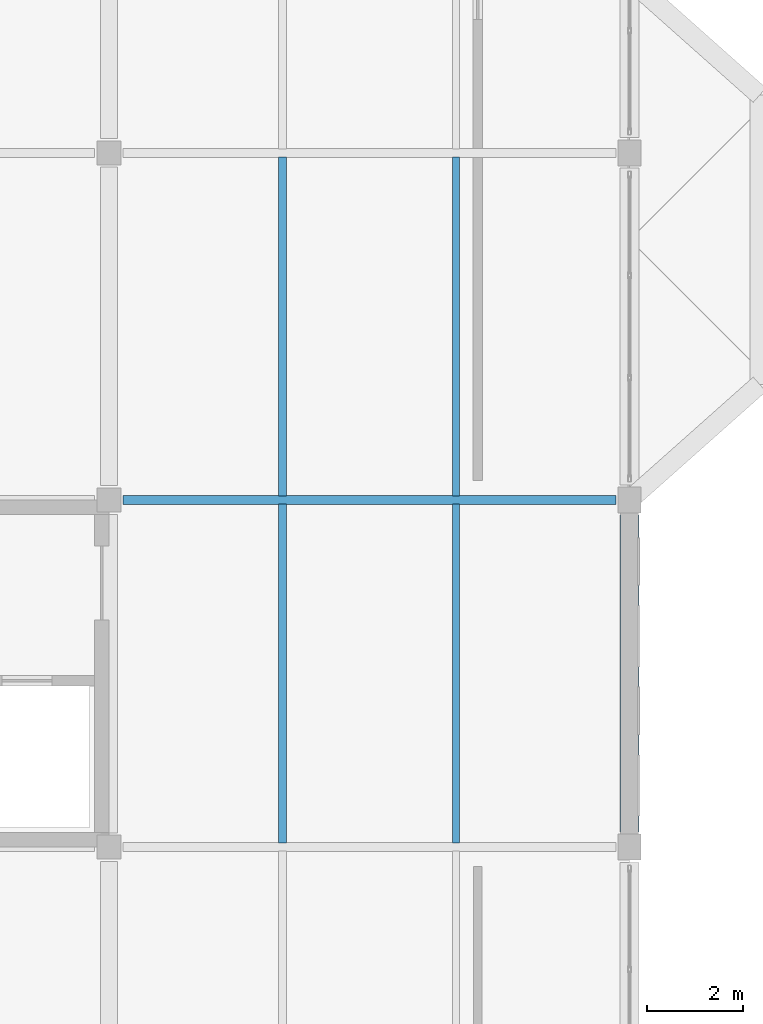
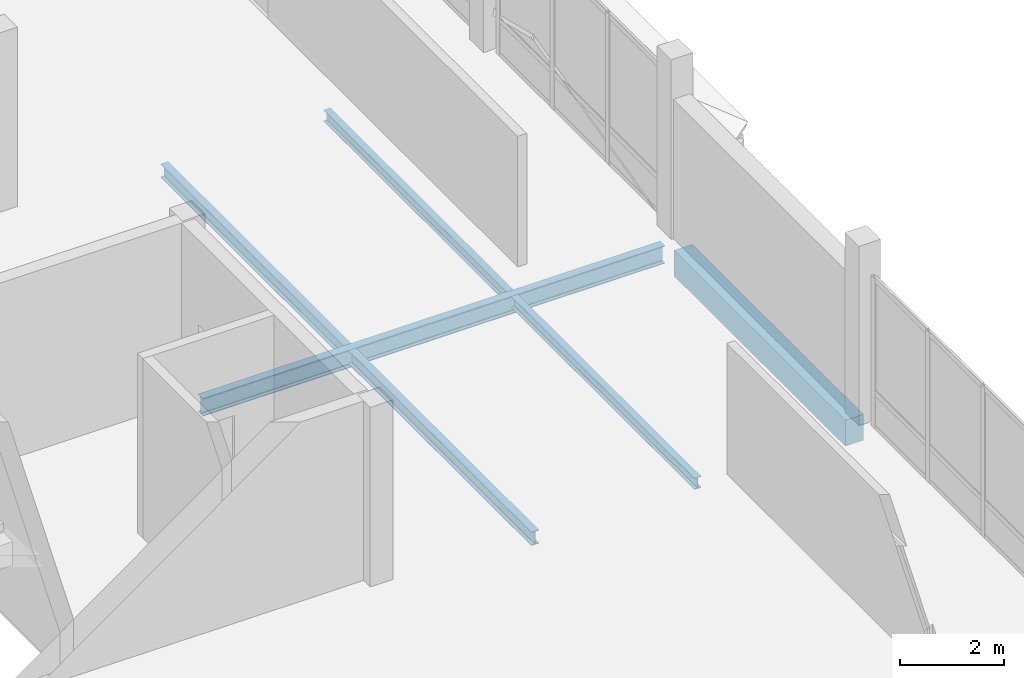
# One storey, part 11 of 72: 6 beams.
"""IFC4 building model written with IfcOpenShell, lengths in metres."""

import ifcopenshell
import ifcopenshell.guid

model = None  # the IFC model being written
_history = None  # IfcOwnerHistory: only IFC2X3 demands one
_inside = {}  # id of a spatial element -> (the spatial element, [elements in it])
_under = {}  # id of a project, library or spatial element -> (it, [spatial elements below it])
_declared = {}  # id of a project -> (the project, [libraries it declares])
_typed = {}  # id of a type object -> (the type object, [elements of that type])
_made_of = {}  # id of a material, layer set ... -> (it, [elements and type objects made of it])


def new_model(schema):
    """Start an empty IFC model of exactly this schema.

    Asked for "IFC4X3", IfcOpenShell would pick the latest addendum, in which some entities
    have other attributes; the version numbers below select the first issue.
    IFC2X3 requires an IfcOwnerHistory on every rooted entity: one is made here for all.
    """
    global model, _history
    if schema == "IFC4X3":
        model = ifcopenshell.file(schema_version=(4, 3, 0, 0))
    else:
        model = ifcopenshell.file(schema=schema)
    _inside.clear()
    _under.clear()
    _declared.clear()
    _typed.clear()
    _made_of.clear()
    _history = None
    if model.schema == "IFC2X3":
        org = make("IfcOrganization", Name="unknown")
        user = make(
            "IfcPersonAndOrganization",
            ThePerson=make("IfcPerson", FamilyName="unknown"),
            TheOrganization=org,
        )
        app = make(
            "IfcApplication",
            ApplicationDeveloper=org,
            Version="unknown",
            ApplicationFullName="unknown",
            ApplicationIdentifier="unknown",
        )
        _history = make(
            "IfcOwnerHistory",
            OwningUser=user,
            OwningApplication=app,
            ChangeAction="ADDED",
            CreationDate=0,
        )
    return model


def make(cls, **values):
    """One entity of the class cls with the attributes given. An attribute that is None is left unset."""
    return model.create_entity(
        cls, **{name: value for name, value in values.items() if value is not None}
    )


def rooted(cls, **values):
    """An entity with a GlobalId (a new one), such as an element, a storey or a relation."""
    return make(cls, GlobalId=ifcopenshell.guid.new(), OwnerHistory=_history, **values)


def si_unit(unit_type, name, prefix=None):
    """IfcSIUnit, for example si_unit("LENGTHUNIT", "METRE", prefix="MILLI")."""
    return make("IfcSIUnit", UnitType=unit_type, Prefix=prefix, Name=name)


def assignment(units):
    """IfcUnitAssignment: the units of a project."""
    return None if units is None else make("IfcUnitAssignment", Units=units)


def point(xyz):
    """IfcCartesianPoint."""
    return None if xyz is None else make("IfcCartesianPoint", Coordinates=xyz)


def direction(xyz):
    """IfcDirection."""
    return None if xyz is None else make("IfcDirection", DirectionRatios=xyz)


def frame(location, z_axis=None, x_axis=None):
    """IfcAxis2Placement3D, a coordinate frame: its origin and axes. An axis left out is left unset."""
    return make(
        "IfcAxis2Placement3D",
        Location=point(location),
        Axis=direction(z_axis),
        RefDirection=direction(x_axis),
    )


def frame_2d(location, x_axis=None):
    """IfcAxis2Placement2D, a coordinate frame in the plane: its origin and x axis."""
    return make(
        "IfcAxis2Placement2D", Location=point(location), RefDirection=direction(x_axis)
    )


def origin():
    """The frame at (0, 0, 0) with its axes left unset."""
    return frame((0.0, 0.0, 0.0))


def origin_2d():
    """The frame at (0, 0) in the plane with its x axis left unset."""
    return frame_2d((0.0, 0.0))


def place(relative_to, where):
    """IfcLocalPlacement: puts the frame where relative to a parent placement (None: the world)."""
    return make(
        "IfcLocalPlacement", PlacementRelTo=relative_to, RelativePlacement=where
    )


def context(
    kind, dimensions, precision=None, world=None, true_north=None, identifier=None
):
    """IfcGeometricRepresentationContext, for example the 3D "Model" context."""
    return make(
        "IfcGeometricRepresentationContext",
        ContextIdentifier=identifier,
        ContextType=kind,
        CoordinateSpaceDimension=dimensions,
        Precision=precision,
        WorldCoordinateSystem=world,
        TrueNorth=true_north,
    )


def subcontext(parent, identifier, kind, view, scale=None):
    """IfcGeometricRepresentationSubContext, for example "Body" below "Model"."""
    return make(
        "IfcGeometricRepresentationSubContext",
        ContextIdentifier=identifier,
        ContextType=kind,
        ParentContext=parent,
        TargetScale=scale,
        TargetView=view,
    )


def project(units=None, contexts=None):
    """IfcProject with its units and contexts."""
    return rooted(
        "IfcProject",
        Name="project",
        RepresentationContexts=contexts,
        UnitsInContext=assignment(units),
    )


def spatial(cls, under=None, at=None, **own):
    """A site, building, storey or space (cls), placed at a placement, below another one or the project."""
    s = rooted(cls, ObjectPlacement=at, **own)
    if under is not None:
        _under.setdefault(under.id(), (under, []))[1].append(s)
    return s


def profile(cls, at=None, kind="AREA", **sizes):
    """A parametric profile (cls). Its sizes go by their IFC names, for example OverallWidth=200.0."""
    return make(cls, ProfileType=kind, Position=at, **sizes)


def rectangle(**sizes):
    """IfcRectangleProfileDef."""
    return profile("IfcRectangleProfileDef", **sizes)


def i_section(**sizes):
    """IfcIShapeProfileDef."""
    return profile("IfcIShapeProfileDef", **sizes)


def extrude(swept, where, along, depth):
    """IfcExtrudedAreaSolid: the profile swept, set in the frame where, extruded along a direction by depth."""
    return make(
        "IfcExtrudedAreaSolid",
        SweptArea=swept,
        Position=where,
        ExtrudedDirection=direction(along),
        Depth=depth,
    )


def shape(context_of_items, identifier, shape_type, items):
    """IfcShapeRepresentation: the items that make up one representation, for example the "Body"."""
    return make(
        "IfcShapeRepresentation",
        ContextOfItems=context_of_items,
        RepresentationIdentifier=identifier,
        RepresentationType=shape_type,
        Items=items,
    )


def material(Name=None, Category=None):
    """IfcMaterial."""
    return make("IfcMaterial", Name=Name, Category=Category)


def material_profile(
    of_material, cross_section, Name=None, Category=None, Priority=None
):
    """IfcMaterialProfile: a cross section and its material."""
    return make(
        "IfcMaterialProfile",
        Name=Name,
        Material=of_material,
        Profile=cross_section,
        Priority=Priority,
        Category=Category,
    )


def profile_set(profiles, Name=None, composite=None):
    """IfcMaterialProfileSet."""
    return make(
        "IfcMaterialProfileSet",
        Name=Name,
        MaterialProfiles=profiles,
        CompositeProfile=composite,
    )


def made_of(thing, what):
    """Note that an element or type object is made of a material, layer set ...; save() writes the relation."""
    if what is not None:
        _made_of.setdefault(what.id(), (what, []))[1].append(thing)
    return thing


def type_object(cls, material=None, **own):
    """A type object (cls), such as IfcWallType, which elements share."""
    return made_of(rooted(cls, **own), material)


def element(
    cls,
    number,
    at=None,
    inside=None,
    cuts=None,
    type_object=None,
    material=None,
    context=None,
    identifier="Body",
    shape_type=None,
    held_by="IfcProductDefinitionShape",
    body=None,
    shapes=None,
    **own,
):
    """One element of the class cls, such as IfcWall. Its Tag is "e" and its number.

    at: its placement. inside: the storey or other place that contains it. cuts: it is an
    opening in that element (IfcRelVoidsElement). A single representation is given by context,
    identifier, shape_type and body (its items); several are given by shapes. held_by: the class
    of the entity that holds the representations. save() writes the other relations.
    """
    e = rooted(cls, Tag="e%d" % number, ObjectPlacement=at, **own)
    if body is not None:
        shapes = [shape(context, identifier, shape_type, body)]
    if shapes is not None:
        e.Representation = make(held_by, Representations=shapes)
    if inside is not None:
        _inside.setdefault(inside.id(), (inside, []))[1].append(e)
    if cuts is not None:
        rooted(
            "IfcRelVoidsElement", RelatingBuildingElement=cuts, RelatedOpeningElement=e
        )
    if type_object is not None:
        _typed.setdefault(type_object.id(), (type_object, []))[1].append(e)
    return made_of(e, material)


def aggregate(whole, parts):
    """IfcRelAggregates: a whole, such as a stair, and the parts it consists of."""
    return rooted("IfcRelAggregates", RelatingObject=whole, RelatedObjects=parts)


def save(model, path):
    """Write the relations noted so far, then the file.

    IfcRelAggregates (storeys below a building ...), IfcRelContainedInSpatialStructure (elements
    in a storey), IfcRelDefinesByType, IfcRelAssociatesMaterial and IfcRelDeclares: one each for
    every whole, place, type object, material and project.
    """
    for whole, parts in _under.values():
        aggregate(whole, parts)
    for where, things in _inside.values():
        rooted(
            "IfcRelContainedInSpatialStructure",
            RelatedElements=things,
            RelatingStructure=where,
        )
    for kind, things in _typed.values():
        rooted("IfcRelDefinesByType", RelatedObjects=things, RelatingType=kind)
    for what, things in _made_of.values():
        rooted("IfcRelAssociatesMaterial", RelatedObjects=things, RelatingMaterial=what)
    for by, libraries in _declared.values():
        rooted("IfcRelDeclares", RelatingContext=by, RelatedDefinitions=libraries)
    model.write(path)


model = new_model("IFC4")

# Units and contexts
model_context = context("Model", 3, precision=1e-05, world=origin(), true_north=direction((0.0, 1.0)))
body_context = subcontext(model_context, "Body", "Model", "MODEL_VIEW")
ifc_project = project(units=[si_unit("LENGTHUNIT", "METRE"), si_unit("AREAUNIT", "SQUARE_METRE"), si_unit("VOLUMEUNIT", "CUBIC_METRE"), si_unit("PLANEANGLEUNIT", "RADIAN"), si_unit("MASSUNIT", "GRAM", prefix="KILO")], contexts=[model_context])

# Site, building, storey
site_placement = place(None, origin())
site = spatial("IfcSite", under=ifc_project, at=site_placement, CompositionType="ELEMENT")
building_placement = place(site_placement, origin())
building = spatial("IfcBuilding", under=site, at=building_placement, Name="Lusvemor Sports Hall", CompositionType="ELEMENT")
storey_placement = place(building_placement, frame((0.0, 0.0, 15.0)))
storey = spatial("IfcBuildingStorey", under=building, at=storey_placement, Name="L03", CompositionType="ELEMENT", Elevation=15.0)

# Beams
ifc_material_1 = material(Name="Steel S355", Category="steel")
ifc_material_profile_1 = material_profile(ifc_material_1, i_section(OverallWidth=0.180908203125, OverallDepth=0.4169921875, WebThickness=0.010986328125, FlangeThickness=0.018310546875, FilletRadius=0.01611328125, at=origin_2d()), Name="W410x85.0")
ifc_profile_set_1 = profile_set([ifc_material_profile_1], Name="Steel S355")
beam_type_1 = type_object("IfcBeamType", Name="BEAM_ST_410H", PredefinedType="BEAM", material=ifc_profile_set_1)
beam_1_placement = place(storey_placement, frame((11.095947265625, 75.60009765625, -0.452392578125), z_axis=(1.0, 0.0, 0.0), x_axis=(0.0, 1.0, 0.0)))
element("IfcBeam", 1, at=beam_1_placement, inside=storey, type_object=beam_type_1, Name="Beam L03 K:2-3", PredefinedType="BEAM", context=body_context, shape_type="SweptSolid", body=[
    extrude(i_section(OverallWidth=0.180908203125, OverallDepth=0.4169921875, WebThickness=0.010986328125, FlangeThickness=0.018310546875, FilletRadius=0.01611328125, at=origin_2d()), origin(), (0.0, 0.0, 1.0), 10.22802734375),
])
ifc_material_2 = material(Name="Steel S355", Category="steel")
ifc_material_profile_2 = material_profile(ifc_material_2, i_section(OverallWidth=0.14794921875, OverallDepth=0.26611328125, WebThickness=0.007568359375, FlangeThickness=0.012939453125, FilletRadius=0.012939453125, at=origin_2d()), Name="W250x44.8")
ifc_profile_set_2 = profile_set([ifc_material_profile_2], Name="Steel S355")
beam_type_2 = type_object("IfcBeamType", Name="JOIST_ST_250M", PredefinedType="JOIST", material=ifc_profile_set_2)
for number, where, z_axis, x_axis, name in (
    (2, (18.0, 68.486572265625, -0.376953125), (0.0, 1.0, 0.0), (-1.0, 0.0, 0.0), "Secondary Joist L03 2-3/J-K #2"),
    (3, (18.0, 75.6865234375, -0.376953125), (0.0, 1.0, 0.0), (-1.0, 0.0, 0.0), "Secondary Joist L03 2-3/K-L #2"),
):
    element("IfcBeam", number, at=place(storey_placement, frame(where, z_axis=z_axis, x_axis=x_axis)), inside=storey, type_object=beam_type_2, Name=name, PredefinedType="JOIST", context=body_context, shape_type="SweptSolid", body=[
        extrude(i_section(OverallWidth=0.14794921875, OverallDepth=0.26611328125, WebThickness=0.007568359375, FlangeThickness=0.012939453125, FilletRadius=0.012939453125, at=origin_2d()), origin(), (0.0, 0.0, 1.0), 7.02685546875),
    ])
ifc_material_3 = material(Name="Steel S355", Category="steel")
ifc_material_profile_3 = material_profile(ifc_material_3, i_section(OverallWidth=0.1669921875, OverallDepth=0.31689453125, WebThickness=0.007568359375, FlangeThickness=0.01318359375, FilletRadius=0.014892578125, at=origin_2d()), Name="W310x52.0")
ifc_profile_set_3 = profile_set([ifc_material_profile_3], Name="Steel S355")
beam_type_3 = type_object("IfcBeamType", Name="JOIST_ST_310M", PredefinedType="JOIST", material=ifc_profile_set_3)
for number, where, z_axis, x_axis, name in (
    (4, (14.39990234375, 68.486572265625, -0.402587890625), (0.0, 1.0, 0.0), (-1.0, 0.0, 0.0), "Secondary Joist L03 2-3/J-K #1"),
    (5, (14.39990234375, 75.6865234375, -0.402587890625), (0.0, 1.0, 0.0), (-1.0, 0.0, 0.0), "Secondary Joist L03 2-3/K-L #1"),
):
    element("IfcBeam", number, at=place(storey_placement, frame(where, z_axis=z_axis, x_axis=x_axis)), inside=storey, type_object=beam_type_3, Name=name, PredefinedType="JOIST", context=body_context, shape_type="SweptSolid", body=[
        extrude(i_section(OverallWidth=0.1669921875, OverallDepth=0.31689453125, WebThickness=0.007568359375, FlangeThickness=0.01318359375, FilletRadius=0.014892578125, at=origin_2d()), origin(), (0.0, 0.0, 1.0), 7.02685546875),
    ])
ifc_material_4 = material(Name="Concrete C40/50", Category="concrete")
ifc_material_profile_4 = material_profile(ifc_material_4, rectangle(XDim=0.39990234375, YDim=0.610107421875, at=origin_2d()), Name="RC400x610")
ifc_profile_set_4 = profile_set([ifc_material_profile_4], Name="Concrete C40/50")
beam_type_4 = type_object("IfcBeamType", Name="SPAND_EXT_650", PredefinedType="SPANDREL", material=ifc_profile_set_4)
beam_2_placement = place(storey_placement, frame((21.60009765625, 68.716064453125, -0.544921875), z_axis=(0.0, 1.0, 0.0), x_axis=(-1.0, 0.0, 0.0)))
element("IfcBeam", 6, at=beam_2_placement, inside=storey, type_object=beam_type_4, Name="Beam L03 3:J-K", PredefinedType="SPANDREL", context=body_context, shape_type="SweptSolid", body=[
    extrude(rectangle(XDim=0.39990234375, YDim=0.610107421875, at=origin_2d()), origin(), (0.0, 0.0, 1.0), 6.56787109375),
])

save(model, "model.ifc")
